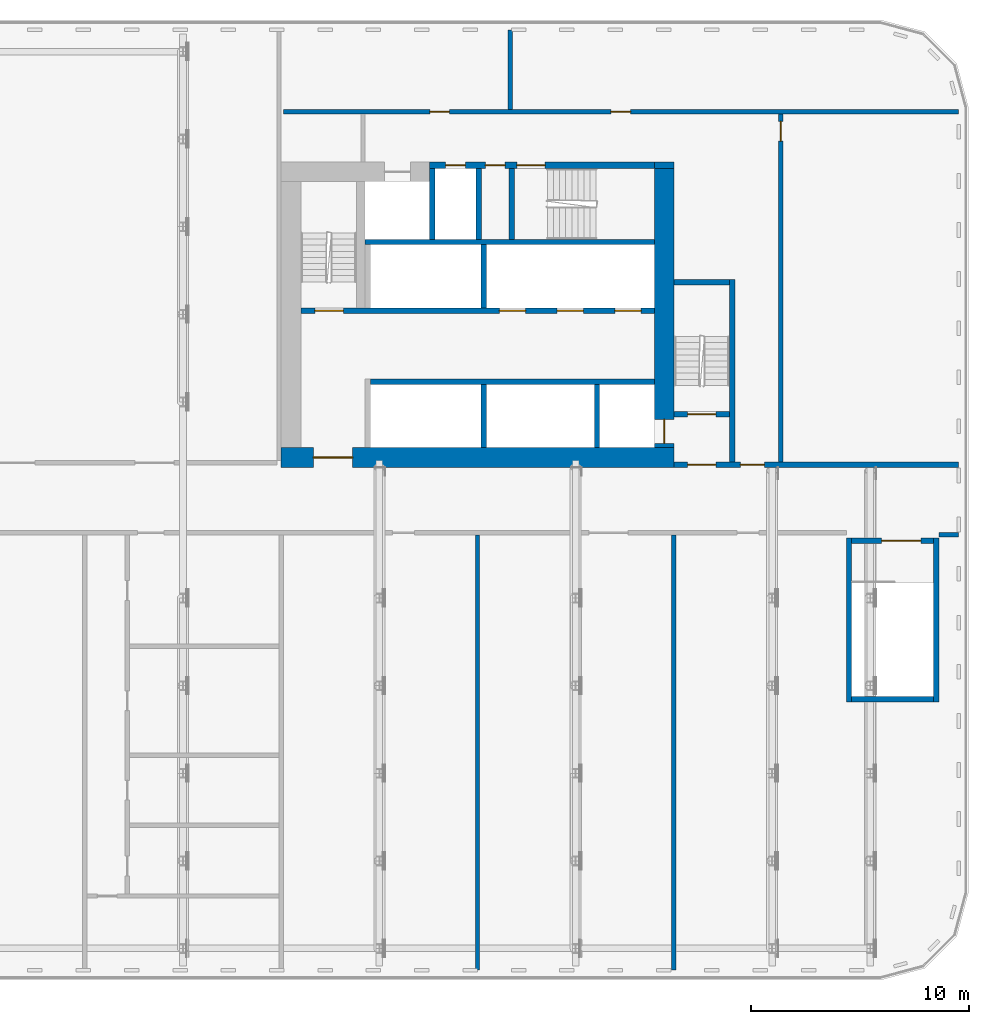
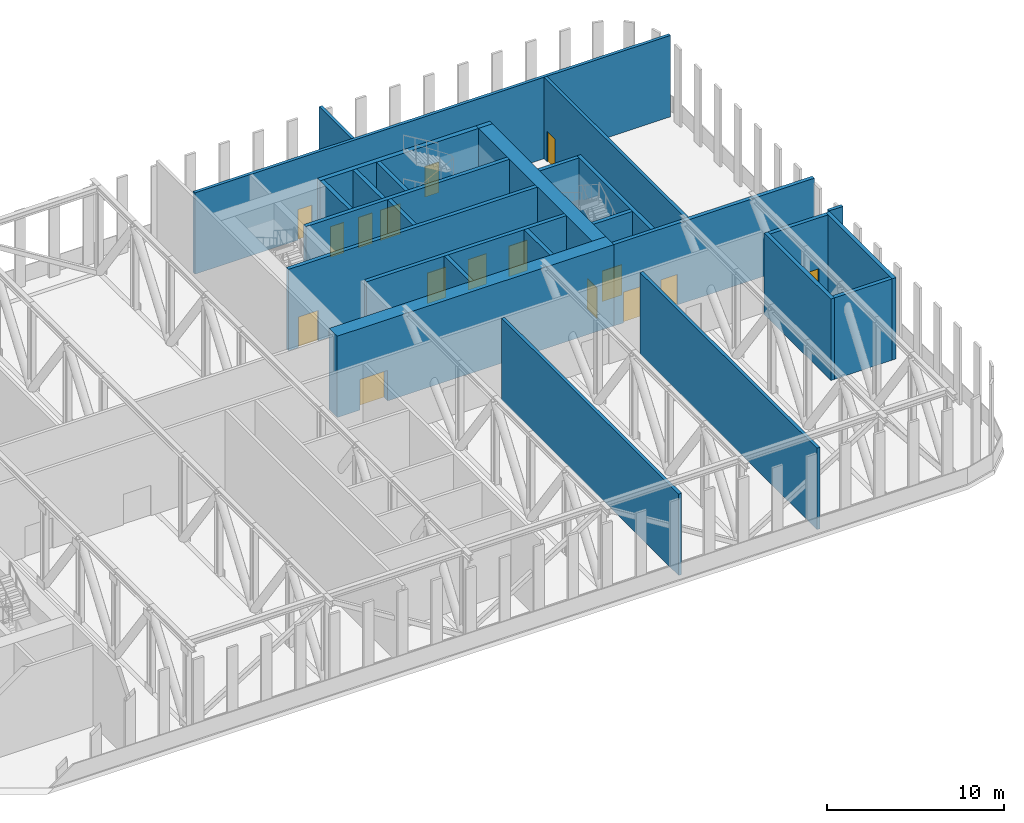
# One storey, part 9 of 26: 27 walls, 16 doors, 16 openings.
"""IFC4 building model written with IfcOpenShell, lengths in metres."""

import ifcopenshell
import ifcopenshell.guid

model = None  # the IFC model being written
_history = None  # IfcOwnerHistory: only IFC2X3 demands one
_inside = {}  # id of a spatial element -> (the spatial element, [elements in it])
_under = {}  # id of a project, library or spatial element -> (it, [spatial elements below it])
_declared = {}  # id of a project -> (the project, [libraries it declares])
_typed = {}  # id of a type object -> (the type object, [elements of that type])
_made_of = {}  # id of a material, layer set ... -> (it, [elements and type objects made of it])


def new_model(schema):
    """Start an empty IFC model of exactly this schema.

    Asked for "IFC4X3", IfcOpenShell would pick the latest addendum, in which some entities
    have other attributes; the version numbers below select the first issue.
    IFC2X3 requires an IfcOwnerHistory on every rooted entity: one is made here for all.
    """
    global model, _history
    if schema == "IFC4X3":
        model = ifcopenshell.file(schema_version=(4, 3, 0, 0))
    else:
        model = ifcopenshell.file(schema=schema)
    _inside.clear()
    _under.clear()
    _declared.clear()
    _typed.clear()
    _made_of.clear()
    _history = None
    if model.schema == "IFC2X3":
        org = make("IfcOrganization", Name="unknown")
        user = make(
            "IfcPersonAndOrganization",
            ThePerson=make("IfcPerson", FamilyName="unknown"),
            TheOrganization=org,
        )
        app = make(
            "IfcApplication",
            ApplicationDeveloper=org,
            Version="unknown",
            ApplicationFullName="unknown",
            ApplicationIdentifier="unknown",
        )
        _history = make(
            "IfcOwnerHistory",
            OwningUser=user,
            OwningApplication=app,
            ChangeAction="ADDED",
            CreationDate=0,
        )
    return model


def make(cls, **values):
    """One entity of the class cls with the attributes given. An attribute that is None is left unset."""
    return model.create_entity(
        cls, **{name: value for name, value in values.items() if value is not None}
    )


def rooted(cls, **values):
    """An entity with a GlobalId (a new one), such as an element, a storey or a relation."""
    return make(cls, GlobalId=ifcopenshell.guid.new(), OwnerHistory=_history, **values)


def si_unit(unit_type, name, prefix=None):
    """IfcSIUnit, for example si_unit("LENGTHUNIT", "METRE", prefix="MILLI")."""
    return make("IfcSIUnit", UnitType=unit_type, Prefix=prefix, Name=name)


def assignment(units):
    """IfcUnitAssignment: the units of a project."""
    return None if units is None else make("IfcUnitAssignment", Units=units)


def point(xyz):
    """IfcCartesianPoint."""
    return None if xyz is None else make("IfcCartesianPoint", Coordinates=xyz)


def direction(xyz):
    """IfcDirection."""
    return None if xyz is None else make("IfcDirection", DirectionRatios=xyz)


def frame(location, z_axis=None, x_axis=None):
    """IfcAxis2Placement3D, a coordinate frame: its origin and axes. An axis left out is left unset."""
    return make(
        "IfcAxis2Placement3D",
        Location=point(location),
        Axis=direction(z_axis),
        RefDirection=direction(x_axis),
    )


def frame_2d(location, x_axis=None):
    """IfcAxis2Placement2D, a coordinate frame in the plane: its origin and x axis."""
    return make(
        "IfcAxis2Placement2D", Location=point(location), RefDirection=direction(x_axis)
    )


def origin():
    """The frame at (0, 0, 0) with its axes left unset."""
    return frame((0.0, 0.0, 0.0))


def place(relative_to, where):
    """IfcLocalPlacement: puts the frame where relative to a parent placement (None: the world)."""
    return make(
        "IfcLocalPlacement", PlacementRelTo=relative_to, RelativePlacement=where
    )


def context(
    kind, dimensions, precision=None, world=None, true_north=None, identifier=None
):
    """IfcGeometricRepresentationContext, for example the 3D "Model" context."""
    return make(
        "IfcGeometricRepresentationContext",
        ContextIdentifier=identifier,
        ContextType=kind,
        CoordinateSpaceDimension=dimensions,
        Precision=precision,
        WorldCoordinateSystem=world,
        TrueNorth=true_north,
    )


def subcontext(parent, identifier, kind, view, scale=None):
    """IfcGeometricRepresentationSubContext, for example "Body" below "Model"."""
    return make(
        "IfcGeometricRepresentationSubContext",
        ContextIdentifier=identifier,
        ContextType=kind,
        ParentContext=parent,
        TargetScale=scale,
        TargetView=view,
    )


def project(units=None, contexts=None):
    """IfcProject with its units and contexts."""
    return rooted(
        "IfcProject",
        Name="project",
        RepresentationContexts=contexts,
        UnitsInContext=assignment(units),
    )


def spatial(cls, under=None, at=None, **own):
    """A site, building, storey or space (cls), placed at a placement, below another one or the project."""
    s = rooted(cls, ObjectPlacement=at, **own)
    if under is not None:
        _under.setdefault(under.id(), (under, []))[1].append(s)
    return s


def profile(cls, at=None, kind="AREA", **sizes):
    """A parametric profile (cls). Its sizes go by their IFC names, for example OverallWidth=200.0."""
    return make(cls, ProfileType=kind, Position=at, **sizes)


def rectangle(**sizes):
    """IfcRectangleProfileDef."""
    return profile("IfcRectangleProfileDef", **sizes)


def extrude(swept, where, along, depth):
    """IfcExtrudedAreaSolid: the profile swept, set in the frame where, extruded along a direction by depth."""
    return make(
        "IfcExtrudedAreaSolid",
        SweptArea=swept,
        Position=where,
        ExtrudedDirection=direction(along),
        Depth=depth,
    )


def shape(context_of_items, identifier, shape_type, items):
    """IfcShapeRepresentation: the items that make up one representation, for example the "Body"."""
    return make(
        "IfcShapeRepresentation",
        ContextOfItems=context_of_items,
        RepresentationIdentifier=identifier,
        RepresentationType=shape_type,
        Items=items,
    )


def material(Name=None, Category=None):
    """IfcMaterial."""
    return make("IfcMaterial", Name=Name, Category=Category)


def layer(
    of_material, thickness, ventilated=None, Name=None, Category=None, Priority=None
):
    """IfcMaterialLayer: one layer of a wall or slab, of a material (None: an air gap)."""
    return make(
        "IfcMaterialLayer",
        Material=of_material,
        LayerThickness=thickness,
        IsVentilated=ventilated,
        Name=Name,
        Category=Category,
        Priority=Priority,
    )


def layer_set(layers, Name=None):
    """IfcMaterialLayerSet."""
    return make("IfcMaterialLayerSet", MaterialLayers=layers, LayerSetName=Name)


def made_of(thing, what):
    """Note that an element or type object is made of a material, layer set ...; save() writes the relation."""
    if what is not None:
        _made_of.setdefault(what.id(), (what, []))[1].append(thing)
    return thing


def type_object(cls, material=None, **own):
    """A type object (cls), such as IfcWallType, which elements share."""
    return made_of(rooted(cls, **own), material)


def element(
    cls,
    number,
    at=None,
    inside=None,
    cuts=None,
    type_object=None,
    material=None,
    context=None,
    identifier="Body",
    shape_type=None,
    held_by="IfcProductDefinitionShape",
    body=None,
    shapes=None,
    **own,
):
    """One element of the class cls, such as IfcWall. Its Tag is "e" and its number.

    at: its placement. inside: the storey or other place that contains it. cuts: it is an
    opening in that element (IfcRelVoidsElement). A single representation is given by context,
    identifier, shape_type and body (its items); several are given by shapes. held_by: the class
    of the entity that holds the representations. save() writes the other relations.
    """
    e = rooted(cls, Tag="e%d" % number, ObjectPlacement=at, **own)
    if body is not None:
        shapes = [shape(context, identifier, shape_type, body)]
    if shapes is not None:
        e.Representation = make(held_by, Representations=shapes)
    if inside is not None:
        _inside.setdefault(inside.id(), (inside, []))[1].append(e)
    if cuts is not None:
        rooted(
            "IfcRelVoidsElement", RelatingBuildingElement=cuts, RelatedOpeningElement=e
        )
    if type_object is not None:
        _typed.setdefault(type_object.id(), (type_object, []))[1].append(e)
    return made_of(e, material)


def fill(opening, filler):
    """IfcRelFillsElement: the door or window that sits in an opening."""
    return rooted(
        "IfcRelFillsElement",
        RelatingOpeningElement=opening,
        RelatedBuildingElement=filler,
    )


def aggregate(whole, parts):
    """IfcRelAggregates: a whole, such as a stair, and the parts it consists of."""
    return rooted("IfcRelAggregates", RelatingObject=whole, RelatedObjects=parts)


def save(model, path):
    """Write the relations noted so far, then the file.

    IfcRelAggregates (storeys below a building ...), IfcRelContainedInSpatialStructure (elements
    in a storey), IfcRelDefinesByType, IfcRelAssociatesMaterial and IfcRelDeclares: one each for
    every whole, place, type object, material and project.
    """
    for whole, parts in _under.values():
        aggregate(whole, parts)
    for where, things in _inside.values():
        rooted(
            "IfcRelContainedInSpatialStructure",
            RelatedElements=things,
            RelatingStructure=where,
        )
    for kind, things in _typed.values():
        rooted("IfcRelDefinesByType", RelatedObjects=things, RelatingType=kind)
    for what, things in _made_of.values():
        rooted("IfcRelAssociatesMaterial", RelatedObjects=things, RelatingMaterial=what)
    for by, libraries in _declared.values():
        rooted("IfcRelDeclares", RelatingContext=by, RelatedDefinitions=libraries)
    model.write(path)


model = new_model("IFC4")

# Units and contexts
model_context = context("Model", 3, precision=1e-05, world=origin(), true_north=direction((0.0, 1.0)))
body_context = subcontext(model_context, "Body", "Model", "MODEL_VIEW")
ifc_project = project(units=[si_unit("LENGTHUNIT", "METRE"), si_unit("AREAUNIT", "SQUARE_METRE"), si_unit("VOLUMEUNIT", "CUBIC_METRE"), si_unit("PLANEANGLEUNIT", "RADIAN"), si_unit("MASSUNIT", "GRAM", prefix="KILO")], contexts=[model_context])

# Site, building, storey
site_placement = place(None, origin())
site = spatial("IfcSite", under=ifc_project, at=site_placement, CompositionType="ELEMENT")
building_placement = place(site_placement, origin())
building = spatial("IfcBuilding", under=site, at=building_placement, Name="Kajstack Hotel Tower", CompositionType="ELEMENT")
storey_placement = place(building_placement, frame((0.0, 0.0, 47.0)))
storey = spatial("IfcBuildingStorey", under=building, at=storey_placement, Name="L07", CompositionType="ELEMENT", Elevation=47.0)

# Wall, opening, door
ifc_material_1 = material(Name="Concrete C60/75", Category="concrete")
ifc_layer_1 = layer(ifc_material_1, 0.89990234375)
ifc_layer_set_1 = layer_set([ifc_layer_1], Name="Core wall 900")
wall_type_1 = type_object("IfcWallType", Name="Core wall 900", PredefinedType="SHEAR", material=ifc_layer_set_1)
wall_1_placement = place(storey_placement, frame((13.5, 1.949951171875, 0.0), z_axis=(0.0, 0.0, 1.0), x_axis=(1.0, 0.0, 0.0)))
wall_1 = element("IfcWall", 1, at=wall_1_placement, inside=storey, type_object=wall_type_1, Name="Core wall E RN", PredefinedType="SHEAR", context=body_context, shape_type="SweptSolid", body=[
    extrude(rectangle(XDim=18.0, YDim=0.89990234375, at=frame_2d((9.0, 0.0))), origin(), (0.0, 0.0, 1.0), 5.60009765625),
])
opening_1_placement = place(wall_1_placement, frame((1.47509765625, 0.0, 0.0)))
opening_1 = element("IfcOpeningElement", 2, at=opening_1_placement, cuts=wall_1, Name="Opening 07E06", PredefinedType="OPENING", context=body_context, shape_type="SweptSolid", body=[
    extrude(rectangle(XDim=1.800048828125, YDim=2.10009765625, at=frame_2d((0.89990234375, 1.050048828125))), frame((0.0, 0.4599609375, 0.0), z_axis=(0.0, -1.0, 0.0), x_axis=(1.0, 0.0, 0.0)), (0.0, 0.0, 1.0), 0.919921875),
])
ifc_material_2 = material(Name="Glazed steel frame, fire-rated glass", Category="steel")
door_type_1 = type_object("IfcDoorType", Name="Lobby double door 1800", OperationType="DOUBLE_DOOR_DOUBLE_SWING", PredefinedType="DOOR", material=ifc_material_2)
door_1_placement = place(opening_1_placement, origin())
door_1 = element("IfcDoor", 3, at=door_1_placement, inside=storey, type_object=door_type_1, Name="Door 07E06", OperationType="DOUBLE_DOOR_DOUBLE_SWING", OverallHeight=2.10009765625, OverallWidth=1.800048828125, PredefinedType="DOOR", context=body_context, shape_type="SweptSolid", body=[
    extrude(rectangle(XDim=1.800048828125, YDim=2.10009765625, at=frame_2d((0.89990234375, 1.050048828125))), frame((0.0, 0.02490234375, 0.0), z_axis=(0.0, -1.0, 0.0), x_axis=(1.0, 0.0, 0.0)), (0.0, 0.0, 1.0), 0.050048828125),
])
fill(opening_1, door_1)

# Wall
wall_2_placement = place(storey_placement, frame((30.60009765625, 15.35009765625, 0.0), z_axis=(0.0, 0.0, 1.0), x_axis=(1.0, 0.0, 0.0)))
element("IfcWall", 4, at=wall_2_placement, inside=storey, type_object=wall_type_1, Name="Core wall E RSW", PredefinedType="SHEAR", context=body_context, shape_type="SweptSolid", body=[
    extrude(rectangle(XDim=0.89990234375, YDim=0.300048828125, at=frame_2d((0.449951171875, 0.0))), origin(), (0.0, 0.0, 1.0), 5.60009765625),
])

# Wall, opening, door
wall_3_placement = place(storey_placement, frame((31.050048828125, 2.39990234375, 0.0), z_axis=(0.0, 0.0, 1.0), x_axis=(0.0, 1.0, 0.0)))
wall_3 = element("IfcWall", 5, at=wall_3_placement, inside=storey, type_object=wall_type_1, Name="Core wall E RW", PredefinedType="SHEAR", context=body_context, shape_type="SweptSolid", body=[
    extrude(rectangle(XDim=12.800048828125, YDim=0.89990234375, at=frame_2d((6.39990234375, 0.0))), origin(), (0.0, 0.0, 1.0), 5.60009765625),
])
opening_2_placement = place(wall_3_placement, frame((0.199951171875, 0.0, 0.0)))
opening_2 = element("IfcOpeningElement", 6, at=opening_2_placement, cuts=wall_3, Name="Opening LD-FF2", PredefinedType="OPENING", context=body_context, shape_type="SweptSolid", body=[
    extrude(rectangle(XDim=1.10009765625, YDim=2.10009765625, at=frame_2d((0.550048828125, 1.050048828125))), frame((0.0, 0.4599609375, 0.0), z_axis=(0.0, -1.0, 0.0), x_axis=(1.0, 0.0, 0.0)), (0.0, 0.0, 1.0), 0.919921875),
])
ifc_material_3 = material(Name="Stainless steel", Category="steel")
door_type_2 = type_object("IfcDoorType", Name="Fire-fighting lift landing door 1100", OperationType="SLIDING_TO_LEFT", PredefinedType="DOOR", material=ifc_material_3)
door_2_placement = place(opening_2_placement, origin())
door_2 = element("IfcDoor", 7, at=door_2_placement, inside=storey, type_object=door_type_2, Name="Landing door FF2", OperationType="SLIDING_TO_LEFT", OverallHeight=2.10009765625, OverallWidth=1.10009765625, PredefinedType="DOOR", context=body_context, shape_type="SweptSolid", body=[
    extrude(rectangle(XDim=1.10009765625, YDim=2.10009765625, at=frame_2d((0.550048828125, 1.050048828125))), frame((0.0, 0.02490234375, 0.0), z_axis=(0.0, -1.0, 0.0), x_axis=(1.0, 0.0, 0.0)), (0.0, 0.0, 1.0), 0.050048828125),
])
fill(opening_2, door_2)

# Walls
ifc_material_4 = material(Name="Concrete C50/60", Category="concrete")
ifc_layer_2 = layer(ifc_material_4, 0.300048828125)
ifc_layer_set_2 = layer_set([ifc_layer_2], Name="Hoistway divider wall 300")
wall_type_2 = type_object("IfcWallType", Name="Hoistway divider wall 300", PredefinedType="SHEAR", material=ifc_layer_set_2)
wall_4_placement = place(storey_placement, frame((22.77490234375, 2.39990234375, 0.0), z_axis=(0.0, 0.0, 1.0), x_axis=(0.0, 1.0, 0.0)))
element("IfcWall", 8, at=wall_4_placement, inside=storey, type_object=wall_type_2, Name="Core wall E AP2", PredefinedType="SHEAR", context=body_context, shape_type="SweptSolid", body=[
    extrude(rectangle(XDim=2.900146484375, YDim=0.25, at=frame_2d((1.4501953125, 0.0))), origin(), (0.0, 0.0, 1.0), 5.60009765625),
])
wall_5_placement = place(storey_placement, frame((22.77490234375, 8.800048828125, 0.0), z_axis=(0.0, 0.0, 1.0), x_axis=(0.0, 1.0, 0.0)))
element("IfcWall", 9, at=wall_5_placement, inside=storey, type_object=wall_type_2, Name="Core wall E BP2", PredefinedType="SHEAR", context=body_context, shape_type="SweptSolid", body=[
    extrude(rectangle(XDim=2.89990234375, YDim=0.25, at=frame_2d((1.449951171875, 0.0))), origin(), (0.0, 0.0, 1.0), 5.60009765625),
])
ifc_material_5 = material(Name="Gypsum board on steel studs, mineral wool", Category="steel")
ifc_layer_3 = layer(ifc_material_5, 0.199951171875)
ifc_layer_set_3 = layer_set([ifc_layer_3], Name="Public partition 200")
wall_type_3 = type_object("IfcWallType", Name="Public partition 200", PredefinedType="PARTITIONING", material=ifc_layer_set_3)
for number, where, z_axis, x_axis, name in (
    (10, (22.5, -21.550048828125, 0.0), (0.0, 0.0, 1.0), (0.0, 1.0, 0.0), "Partition SPX2"),
    (11, (31.5, -21.550048828125, 0.0), (0.0, 0.0, 1.0), (0.0, 1.0, 0.0), "Partition SPX3"),
):
    element("IfcWall", number, at=place(storey_placement, frame(where, z_axis=z_axis, x_axis=x_axis)), inside=storey, type_object=wall_type_3, Name=name, PredefinedType="PARTITIONING", context=body_context, shape_type="SweptSolid", body=[
        extrude(rectangle(XDim=19.949951171875, YDim=0.199951171875, at=frame_2d((9.97509765625, 0.0))), origin(), (0.0, 0.0, 1.0), 5.60009765625),
    ])
wall_6_placement = place(storey_placement, frame((43.64990234375, -1.60009765625, 0.0), z_axis=(0.0, 0.0, 1.0), x_axis=(1.0, 0.0, 0.0)))
element("IfcWall", 12, at=wall_6_placement, inside=storey, type_object=wall_type_3, Name="Partition SFWW", PredefinedType="PARTITIONING", context=body_context, shape_type="SweptSolid", body=[
    extrude(rectangle(XDim=0.900146484375, YDim=0.199951171875, at=frame_2d((0.4501953125, 0.0))), origin(), (0.0, 0.0, 1.0), 5.60009765625),
])
ifc_material_6 = material(Name="Concrete block masonry", Category="masonry")
ifc_layer_4 = layer(ifc_material_6, 0.25)
ifc_layer_set_4 = layer_set([ifc_layer_4], Name="Riser partition 250")
wall_type_4 = type_object("IfcWallType", Name="Riser partition 250", PredefinedType="PARTITIONING", material=ifc_layer_set_4)
wall_7_placement = place(storey_placement, frame((22.550048828125, 11.949951171875, 0.0), z_axis=(0.0, 0.0, 1.0), x_axis=(0.0, 1.0, 0.0)))
element("IfcWall", 13, at=wall_7_placement, inside=storey, type_object=wall_type_4, Name="Partition E SZ0", PredefinedType="PARTITIONING", context=body_context, shape_type="SweptSolid", body=[
    extrude(rectangle(XDim=3.25, YDim=0.25, at=frame_2d((1.625, 0.0))), origin(), (0.0, 0.0, 1.0), 5.60009765625),
])

# Wall, openings, doors
ifc_layer_5 = layer(ifc_material_5, 0.199951171875)
ifc_layer_set_5 = layer_set([ifc_layer_5], Name="Service partition 200")
wall_type_5 = type_object("IfcWallType", Name="Service partition 200", PredefinedType="PARTITIONING", material=ifc_layer_set_5)
wall_8_placement = place(storey_placement, frame((31.5, 1.625, 0.0), z_axis=(0.0, 0.0, 1.0), x_axis=(1.0, 0.0, 0.0)))
wall_8 = element("IfcWall", 14, at=wall_8_placement, inside=storey, type_object=wall_type_5, Name="Partition E SN", PredefinedType="PARTITIONING", context=body_context, shape_type="SweptSolid", body=[
    extrude(rectangle(XDim=13.050048828125, YDim=0.25, at=frame_2d((6.52490234375, 0.0))), origin(), (0.0, 0.0, 1.0), 5.60009765625),
])
opening_3_placement = place(wall_8_placement, frame((0.625, 0.0, 0.0)))
opening_3 = element("IfcOpeningElement", 15, at=opening_3_placement, cuts=wall_8, Name="Opening 07E07", PredefinedType="OPENING", context=body_context, shape_type="SweptSolid", body=[
    extrude(rectangle(XDim=1.300048828125, YDim=2.10009765625, at=frame_2d((0.64990234375, 1.050048828125))), frame((0.0, 0.135009765625, 0.0), z_axis=(0.0, -1.0, 0.0), x_axis=(1.0, 0.0, 0.0)), (0.0, 0.0, 1.0), 0.27001953125),
])
opening_4_placement = place(wall_8_placement, frame((3.050048828125, 0.0, 0.0)))
opening_4 = element("IfcOpeningElement", 16, at=opening_4_placement, cuts=wall_8, Name="Opening 07E09", PredefinedType="OPENING", context=body_context, shape_type="SweptSolid", body=[
    extrude(rectangle(XDim=1.10009765625, YDim=2.10009765625, at=frame_2d((0.550048828125, 1.050048828125))), frame((0.0, 0.135009765625, 0.0), z_axis=(0.0, -1.0, 0.0), x_axis=(1.0, 0.0, 0.0)), (0.0, 0.0, 1.0), 0.27001953125),
])
ifc_material_7 = material(Name="Steel leaf, fire-rated", Category="steel")
door_type_3 = type_object("IfcDoorType", Name="Fire lobby door 1300", OperationType="SINGLE_SWING_LEFT", PredefinedType="DOOR", material=ifc_material_7)
door_3_placement = place(opening_3_placement, origin())
door_3 = element("IfcDoor", 17, at=door_3_placement, inside=storey, type_object=door_type_3, Name="Door 07E07", OperationType="SINGLE_SWING_LEFT", OverallHeight=2.10009765625, OverallWidth=1.300048828125, PredefinedType="DOOR", context=body_context, shape_type="SweptSolid", body=[
    extrude(rectangle(XDim=1.300048828125, YDim=2.10009765625, at=frame_2d((0.64990234375, 1.050048828125))), frame((0.0, 0.02490234375, 0.0), z_axis=(0.0, -1.0, 0.0), x_axis=(1.0, 0.0, 0.0)), (0.0, 0.0, 1.0), 0.050048828125),
])
fill(opening_3, door_3)
ifc_material_8 = material(Name="Timber leaf, fire-rated", Category="wood")
door_type_4 = type_object("IfcDoorType", Name="Service corridor door 1100", OperationType="SINGLE_SWING_LEFT", PredefinedType="DOOR", material=ifc_material_8)
door_4_placement = place(opening_4_placement, origin())
door_4 = element("IfcDoor", 18, at=door_4_placement, inside=storey, type_object=door_type_4, Name="Door 07E09", OperationType="SINGLE_SWING_LEFT", OverallHeight=2.10009765625, OverallWidth=1.10009765625, PredefinedType="DOOR", context=body_context, shape_type="SweptSolid", body=[
    extrude(rectangle(XDim=1.10009765625, YDim=2.10009765625, at=frame_2d((0.550048828125, 1.050048828125))), frame((0.0, 0.02490234375, 0.0), z_axis=(0.0, -1.0, 0.0), x_axis=(1.0, 0.0, 0.0)), (0.0, 0.0, 1.0), 0.050048828125),
])
fill(opening_4, door_4)

# Wall, opening, door
wall_9_placement = place(storey_placement, frame((36.39990234375, 1.75, 0.0), z_axis=(0.0, 0.0, 1.0), x_axis=(0.0, 1.0, 0.0)))
wall_9 = element("IfcWall", 19, at=wall_9_placement, inside=storey, type_object=wall_type_5, Name="Partition E WRE", PredefinedType="PARTITIONING", context=body_context, shape_type="SweptSolid", body=[
    extrude(rectangle(XDim=15.949951171875, YDim=0.199951171875, at=frame_2d((7.97509765625, 0.0))), origin(), (0.0, 0.0, 1.0), 5.60009765625),
])
opening_5_placement = place(wall_9_placement, frame((14.699951171875, 0.0, 0.0)))
opening_5 = element("IfcOpeningElement", 20, at=opening_5_placement, cuts=wall_9, Name="Opening 07E16", PredefinedType="OPENING", context=body_context, shape_type="SweptSolid", body=[
    extrude(rectangle(XDim=0.89990234375, YDim=2.10009765625, at=frame_2d((0.449951171875, 1.050048828125))), frame((0.0, 0.10986328125, 0.0), z_axis=(0.0, -1.0, 0.0), x_axis=(1.0, 0.0, 0.0)), (0.0, 0.0, 1.0), 0.219970703125),
])
door_type_5 = type_object("IfcDoorType", Name="Service door 900", OperationType="SINGLE_SWING_LEFT", PredefinedType="DOOR", material=ifc_material_8)
door_5_placement = place(opening_5_placement, origin())
door_5 = element("IfcDoor", 21, at=door_5_placement, inside=storey, type_object=door_type_5, Name="Door 07E16", OperationType="SINGLE_SWING_RIGHT", OverallHeight=2.10009765625, OverallWidth=0.89990234375, PredefinedType="DOOR", context=body_context, shape_type="SweptSolid", body=[
    extrude(rectangle(XDim=0.89990234375, YDim=2.10009765625, at=frame_2d((0.449951171875, 1.050048828125))), frame((0.0, 0.02490234375, 0.0), z_axis=(0.0, -1.0, 0.0), x_axis=(1.0, 0.0, 0.0)), (0.0, 0.0, 1.0), 0.050048828125),
])
fill(opening_5, door_5)

# Wall, openings, doors
wall_10_placement = place(storey_placement, frame((13.60009765625, 17.800048828125, 0.0), z_axis=(0.0, 0.0, 1.0), x_axis=(1.0, 0.0, 0.0)))
wall_10 = element("IfcWall", 22, at=wall_10_placement, inside=storey, type_object=wall_type_5, Name="Partition E SLN", PredefinedType="PARTITIONING", context=body_context, shape_type="SweptSolid", body=[
    extrude(rectangle(XDim=30.949951171875, YDim=0.199951171875, at=frame_2d((15.47509765625, 0.0))), origin(), (0.0, 0.0, 1.0), 5.60009765625),
])
opening_6_placement = place(wall_10_placement, frame((15.012451171875, 0.0, 0.0)))
opening_6 = element("IfcOpeningElement", 23, at=opening_6_placement, cuts=wall_10, Name="Opening 07E14", PredefinedType="OPENING", context=body_context, shape_type="SweptSolid", body=[
    extrude(rectangle(XDim=0.89990234375, YDim=2.10009765625, at=frame_2d((0.449951171875, 1.050048828125))), frame((0.0, 0.10986328125, 0.0), z_axis=(0.0, -1.0, 0.0), x_axis=(1.0, 0.0, 0.0)), (0.0, 0.0, 1.0), 0.219970703125),
])
opening_7_placement = place(wall_10_placement, frame((6.71240234375, 0.0, 0.0)))
opening_7 = element("IfcOpeningElement", 24, at=opening_7_placement, cuts=wall_10, Name="Opening 07E15", PredefinedType="OPENING", context=body_context, shape_type="SweptSolid", body=[
    extrude(rectangle(XDim=0.89990234375, YDim=2.10009765625, at=frame_2d((0.449951171875, 1.050048828125))), frame((0.0, 0.10986328125, 0.0), z_axis=(0.0, -1.0, 0.0), x_axis=(1.0, 0.0, 0.0)), (0.0, 0.0, 1.0), 0.219970703125),
])
door_6_placement = place(opening_6_placement, origin())
door_6 = element("IfcDoor", 25, at=door_6_placement, inside=storey, type_object=door_type_5, Name="Door 07E14", OperationType="SINGLE_SWING_LEFT", OverallHeight=2.10009765625, OverallWidth=0.89990234375, PredefinedType="DOOR", context=body_context, shape_type="SweptSolid", body=[
    extrude(rectangle(XDim=0.89990234375, YDim=2.10009765625, at=frame_2d((0.449951171875, 1.050048828125))), frame((0.0, 0.02490234375, 0.0), z_axis=(0.0, -1.0, 0.0), x_axis=(1.0, 0.0, 0.0)), (0.0, 0.0, 1.0), 0.050048828125),
])
fill(opening_6, door_6)
door_7_placement = place(opening_7_placement, origin())
door_7 = element("IfcDoor", 26, at=door_7_placement, inside=storey, type_object=door_type_5, Name="Door 07E15", OperationType="SINGLE_SWING_LEFT", OverallHeight=2.10009765625, OverallWidth=0.89990234375, PredefinedType="DOOR", context=body_context, shape_type="SweptSolid", body=[
    extrude(rectangle(XDim=0.89990234375, YDim=2.10009765625, at=frame_2d((0.449951171875, 1.050048828125))), frame((0.0, 0.02490234375, 0.0), z_axis=(0.0, -1.0, 0.0), x_axis=(1.0, 0.0, 0.0)), (0.0, 0.0, 1.0), 0.050048828125),
])
fill(opening_7, door_7)

# Wall
wall_11_placement = place(storey_placement, frame((24.0, 17.89990234375, 0.0), z_axis=(0.0, 0.0, 1.0), x_axis=(0.0, 1.0, 0.0)))
element("IfcWall", 27, at=wall_11_placement, inside=storey, type_object=wall_type_5, Name="Partition E SLP0", PredefinedType="PARTITIONING", context=body_context, shape_type="SweptSolid", body=[
    extrude(rectangle(XDim=3.650146484375, YDim=0.199951171875, at=frame_2d((1.8251953125, 0.0))), origin(), (0.0, 0.0, 1.0), 5.60009765625),
])

# Wall, openings, doors
ifc_layer_6 = layer(ifc_material_4, 0.25)
ifc_layer_set_6 = layer_set([ifc_layer_6], Name="Shaft wall 250")
wall_type_6 = type_object("IfcWallType", Name="Shaft wall 250", PredefinedType="SHEAR", material=ifc_layer_set_6)
wall_12_placement = place(storey_placement, frame((20.300048828125, 15.35009765625, 0.0), z_axis=(0.0, 0.0, 1.0), x_axis=(1.0, 0.0, 0.0)))
wall_12 = element("IfcWall", 28, at=wall_12_placement, inside=storey, type_object=wall_type_6, Name="Core wall E RSS", PredefinedType="SHEAR", context=body_context, shape_type="SweptSolid", body=[
    extrude(rectangle(XDim=10.300048828125, YDim=0.300048828125, at=frame_2d((5.14990234375, 0.0))), origin(), (0.0, 0.0, 1.0), 5.60009765625),
])
opening_8_placement = place(wall_12_placement, frame((4.0, 0.0, 0.0)))
opening_8 = element("IfcOpeningElement", 29, at=opening_8_placement, cuts=wall_12, Name="Opening 07E11", PredefinedType="OPENING", context=body_context, shape_type="SweptSolid", body=[
    extrude(rectangle(XDim=1.300048828125, YDim=2.10009765625, at=frame_2d((0.64990234375, 1.050048828125))), frame((0.0, 0.159912109375, 0.0), z_axis=(0.0, -1.0, 0.0), x_axis=(1.0, 0.0, 0.0)), (0.0, 0.0, 1.0), 0.320068359375),
])
opening_9_placement = place(wall_12_placement, frame((2.5625, 0.0, 0.0)))
opening_9 = element("IfcOpeningElement", 30, at=opening_9_placement, cuts=wall_12, Name="Opening 07E12", PredefinedType="OPENING", context=body_context, shape_type="SweptSolid", body=[
    extrude(rectangle(XDim=0.89990234375, YDim=2.10009765625, at=frame_2d((0.449951171875, 1.050048828125))), frame((0.0, 0.159912109375, 0.0), z_axis=(0.0, -1.0, 0.0), x_axis=(1.0, 0.0, 0.0)), (0.0, 0.0, 1.0), 0.320068359375),
])
opening_10_placement = place(wall_12_placement, frame((0.737548828125, 0.0, 0.0)))
opening_10 = element("IfcOpeningElement", 31, at=opening_10_placement, cuts=wall_12, Name="Opening 07E13", PredefinedType="OPENING", context=body_context, shape_type="SweptSolid", body=[
    extrude(rectangle(XDim=0.89990234375, YDim=2.10009765625, at=frame_2d((0.449951171875, 1.050048828125))), frame((0.0, 0.159912109375, 0.0), z_axis=(0.0, -1.0, 0.0), x_axis=(1.0, 0.0, 0.0)), (0.0, 0.0, 1.0), 0.320068359375),
])
door_type_6 = type_object("IfcDoorType", Name="Riser door 900", OperationType="SINGLE_SWING_LEFT", PredefinedType="DOOR", material=ifc_material_7)
door_8_placement = place(opening_10_placement, origin())
door_8 = element("IfcDoor", 32, at=door_8_placement, inside=storey, type_object=door_type_6, Name="Door 07E13", OperationType="SINGLE_SWING_RIGHT", OverallHeight=2.10009765625, OverallWidth=0.89990234375, PredefinedType="DOOR", context=body_context, shape_type="SweptSolid", body=[
    extrude(rectangle(XDim=0.89990234375, YDim=2.10009765625, at=frame_2d((0.449951171875, 1.050048828125))), frame((0.0, 0.02490234375, 0.0), z_axis=(0.0, -1.0, 0.0), x_axis=(1.0, 0.0, 0.0)), (0.0, 0.0, 1.0), 0.050048828125),
])
fill(opening_10, door_8)
door_9_placement = place(opening_9_placement, origin())
door_9 = element("IfcDoor", 33, at=door_9_placement, inside=storey, type_object=door_type_5, Name="Door 07E12", OperationType="SINGLE_SWING_RIGHT", OverallHeight=2.10009765625, OverallWidth=0.89990234375, PredefinedType="DOOR", context=body_context, shape_type="SweptSolid", body=[
    extrude(rectangle(XDim=0.89990234375, YDim=2.10009765625, at=frame_2d((0.449951171875, 1.050048828125))), frame((0.0, 0.02490234375, 0.0), z_axis=(0.0, -1.0, 0.0), x_axis=(1.0, 0.0, 0.0)), (0.0, 0.0, 1.0), 0.050048828125),
])
fill(opening_9, door_9)
door_type_7 = type_object("IfcDoorType", Name="Stair door 1300", OperationType="SINGLE_SWING_LEFT", PredefinedType="DOOR", material=ifc_material_7)
door_10_placement = place(opening_8_placement, origin())
door_10 = element("IfcDoor", 34, at=door_10_placement, inside=storey, type_object=door_type_7, Name="Door 07E11", OperationType="SINGLE_SWING_LEFT", OverallHeight=2.10009765625, OverallWidth=1.300048828125, PredefinedType="DOOR", context=body_context, shape_type="SweptSolid", body=[
    extrude(rectangle(XDim=1.300048828125, YDim=2.10009765625, at=frame_2d((0.64990234375, 1.050048828125))), frame((0.0, 0.02490234375, 0.0), z_axis=(0.0, -1.0, 0.0), x_axis=(1.0, 0.0, 0.0)), (0.0, 0.0, 1.0), 0.050048828125),
])
fill(opening_8, door_10)

# Walls
wall_13_placement = place(storey_placement, frame((17.60009765625, 5.425048828125, 0.0), z_axis=(0.0, 0.0, 1.0), x_axis=(1.0, 0.0, 0.0)))
element("IfcWall", 35, at=wall_13_placement, inside=storey, type_object=wall_type_6, Name="Core wall E FA", PredefinedType="SHEAR", context=body_context, shape_type="SweptSolid", body=[
    extrude(rectangle(XDim=13.0, YDim=0.25, at=frame_2d((6.5, 0.0))), origin(), (0.0, 0.0, 1.0), 5.60009765625),
])
wall_14_placement = place(storey_placement, frame((27.97509765625, 2.39990234375, 0.0), z_axis=(0.0, 0.0, 1.0), x_axis=(0.0, 1.0, 0.0)))
element("IfcWall", 36, at=wall_14_placement, inside=storey, type_object=wall_type_6, Name="Core wall E AP0", PredefinedType="SHEAR", context=body_context, shape_type="SweptSolid", body=[
    extrude(rectangle(XDim=2.900146484375, YDim=0.25, at=frame_2d((1.4501953125, 0.0))), origin(), (0.0, 0.0, 1.0), 5.60009765625),
])

# Wall, openings, doors
wall_15_placement = place(storey_placement, frame((14.39990234375, 8.675048828125, 0.0), z_axis=(0.0, 0.0, 1.0), x_axis=(1.0, 0.0, 0.0)))
wall_15 = element("IfcWall", 37, at=wall_15_placement, inside=storey, type_object=wall_type_6, Name="Core wall E FB", PredefinedType="SHEAR", context=body_context, shape_type="SweptSolid", body=[
    extrude(rectangle(XDim=16.2001953125, YDim=0.25, at=frame_2d((8.10009765625, 0.0))), origin(), (0.0, 0.0, 1.0), 5.60009765625),
])
opening_11_placement = place(wall_15_placement, frame((14.39990234375, 0.0, 0.0)))
opening_11 = element("IfcOpeningElement", 38, at=opening_11_placement, cuts=wall_15, Name="Opening LD-LR4", PredefinedType="OPENING", context=body_context, shape_type="SweptSolid", body=[
    extrude(rectangle(XDim=1.199951171875, YDim=2.10009765625, at=frame_2d((0.60009765625, 1.050048828125))), frame((0.0, 0.135009765625, 0.0), z_axis=(0.0, -1.0, 0.0), x_axis=(1.0, 0.0, 0.0)), (0.0, 0.0, 1.0), 0.27001953125),
])
opening_12_placement = place(wall_15_placement, frame((11.75, 0.0, 0.0)))
opening_12 = element("IfcOpeningElement", 39, at=opening_12_placement, cuts=wall_15, Name="Opening LD-LR5", PredefinedType="OPENING", context=body_context, shape_type="SweptSolid", body=[
    extrude(rectangle(XDim=1.199951171875, YDim=2.10009765625, at=frame_2d((0.60009765625, 1.050048828125))), frame((0.0, 0.135009765625, 0.0), z_axis=(0.0, -1.0, 0.0), x_axis=(1.0, 0.0, 0.0)), (0.0, 0.0, 1.0), 0.27001953125),
])
opening_13_placement = place(wall_15_placement, frame((9.10009765625, 0.0, 0.0)))
opening_13 = element("IfcOpeningElement", 40, at=opening_13_placement, cuts=wall_15, Name="Opening LD-LR6", PredefinedType="OPENING", context=body_context, shape_type="SweptSolid", body=[
    extrude(rectangle(XDim=1.199951171875, YDim=2.10009765625, at=frame_2d((0.60009765625, 1.050048828125))), frame((0.0, 0.135009765625, 0.0), z_axis=(0.0, -1.0, 0.0), x_axis=(1.0, 0.0, 0.0)), (0.0, 0.0, 1.0), 0.27001953125),
])
opening_14_placement = place(wall_15_placement, frame((0.64990234375, 0.0, 0.0)))
opening_14 = element("IfcOpeningElement", 41, at=opening_14_placement, cuts=wall_15, Name="Opening 07E10", PredefinedType="OPENING", context=body_context, shape_type="SweptSolid", body=[
    extrude(rectangle(XDim=1.300048828125, YDim=2.10009765625, at=frame_2d((0.64990234375, 1.050048828125))), frame((0.0, 0.135009765625, 0.0), z_axis=(0.0, -1.0, 0.0), x_axis=(1.0, 0.0, 0.0)), (0.0, 0.0, 1.0), 0.27001953125),
])
door_type_8 = type_object("IfcDoorType", Name="Lift landing door 1200", OperationType="SLIDING_TO_LEFT", PredefinedType="DOOR", material=ifc_material_3)
door_11_placement = place(opening_11_placement, origin())
door_11 = element("IfcDoor", 42, at=door_11_placement, inside=storey, type_object=door_type_8, Name="Landing door LR4", OperationType="SLIDING_TO_LEFT", OverallHeight=2.10009765625, OverallWidth=1.199951171875, PredefinedType="DOOR", context=body_context, shape_type="SweptSolid", body=[
    extrude(rectangle(XDim=1.199951171875, YDim=2.10009765625, at=frame_2d((0.60009765625, 1.050048828125))), frame((0.0, 0.02490234375, 0.0), z_axis=(0.0, -1.0, 0.0), x_axis=(1.0, 0.0, 0.0)), (0.0, 0.0, 1.0), 0.050048828125),
])
fill(opening_11, door_11)
door_12_placement = place(opening_12_placement, origin())
door_12 = element("IfcDoor", 43, at=door_12_placement, inside=storey, type_object=door_type_8, Name="Landing door LR5", OperationType="SLIDING_TO_RIGHT", OverallHeight=2.10009765625, OverallWidth=1.199951171875, PredefinedType="DOOR", context=body_context, shape_type="SweptSolid", body=[
    extrude(rectangle(XDim=1.199951171875, YDim=2.10009765625, at=frame_2d((0.60009765625, 1.050048828125))), frame((0.0, 0.02490234375, 0.0), z_axis=(0.0, -1.0, 0.0), x_axis=(1.0, 0.0, 0.0)), (0.0, 0.0, 1.0), 0.050048828125),
])
fill(opening_12, door_12)
door_13_placement = place(opening_13_placement, origin())
door_13 = element("IfcDoor", 44, at=door_13_placement, inside=storey, type_object=door_type_8, Name="Landing door LR6", OperationType="SLIDING_TO_RIGHT", OverallHeight=2.10009765625, OverallWidth=1.199951171875, PredefinedType="DOOR", context=body_context, shape_type="SweptSolid", body=[
    extrude(rectangle(XDim=1.199951171875, YDim=2.10009765625, at=frame_2d((0.60009765625, 1.050048828125))), frame((0.0, 0.02490234375, 0.0), z_axis=(0.0, -1.0, 0.0), x_axis=(1.0, 0.0, 0.0)), (0.0, 0.0, 1.0), 0.050048828125),
])
fill(opening_13, door_13)
door_14_placement = place(opening_14_placement, origin())
door_14 = element("IfcDoor", 45, at=door_14_placement, inside=storey, type_object=door_type_7, Name="Door 07E10", OperationType="SINGLE_SWING_LEFT", OverallHeight=2.10009765625, OverallWidth=1.300048828125, PredefinedType="DOOR", context=body_context, shape_type="SweptSolid", body=[
    extrude(rectangle(XDim=1.300048828125, YDim=2.10009765625, at=frame_2d((0.64990234375, 1.050048828125))), frame((0.0, 0.02490234375, 0.0), z_axis=(0.0, -1.0, 0.0), x_axis=(1.0, 0.0, 0.0)), (0.0, 0.0, 1.0), 0.050048828125),
])
fill(opening_14, door_14)

# Walls
wall_16_placement = place(storey_placement, frame((17.35009765625, 11.824951171875, 0.0), z_axis=(0.0, 0.0, 1.0), x_axis=(1.0, 0.0, 0.0)))
element("IfcWall", 46, at=wall_16_placement, inside=storey, type_object=wall_type_6, Name="Core wall E RB", PredefinedType="SHEAR", context=body_context, shape_type="SweptSolid", body=[
    extrude(rectangle(XDim=13.25, YDim=0.25, at=frame_2d((6.625, 0.0))), origin(), (0.0, 0.0, 1.0), 5.60009765625),
])
wall_17_placement = place(storey_placement, frame((20.425048828125, 11.949951171875, 0.0), z_axis=(0.0, 0.0, 1.0), x_axis=(0.0, 1.0, 0.0)))
element("IfcWall", 47, at=wall_17_placement, inside=storey, type_object=wall_type_6, Name="Core wall E SVW", PredefinedType="SHEAR", context=body_context, shape_type="SweptSolid", body=[
    extrude(rectangle(XDim=3.25, YDim=0.25, at=frame_2d((1.625, 0.0))), origin(), (0.0, 0.0, 1.0), 5.60009765625),
])

# Wall, opening, door
ifc_material_9 = material(Name="Concrete C40/50", Category="concrete")
ifc_layer_7 = layer(ifc_material_9, 0.25)
ifc_layer_set_7 = layer_set([ifc_layer_7], Name="Stair enclosure wall 250")
wall_type_7 = type_object("IfcWallType", Name="Stair enclosure wall 250", PredefinedType="SHEAR", material=ifc_layer_set_7)
wall_18_placement = place(storey_placement, frame((31.5, 3.925048828125, 0.0), z_axis=(0.0, 0.0, 1.0), x_axis=(1.0, 0.0, 0.0)))
wall_18 = element("IfcWall", 48, at=wall_18_placement, inside=storey, type_object=wall_type_7, Name="Core wall E W1N", PredefinedType="SHEAR", context=body_context, shape_type="SweptSolid", body=[
    extrude(rectangle(XDim=2.550048828125, YDim=0.25, at=frame_2d((1.27490234375, 0.0))), origin(), (0.0, 0.0, 1.0), 5.60009765625),
])
opening_15_placement = place(wall_18_placement, frame((0.625, 0.0, 0.0)))
opening_15 = element("IfcOpeningElement", 49, at=opening_15_placement, cuts=wall_18, Name="Opening 07E08", PredefinedType="OPENING", context=body_context, shape_type="SweptSolid", body=[
    extrude(rectangle(XDim=1.300048828125, YDim=2.10009765625, at=frame_2d((0.64990234375, 1.050048828125))), frame((0.0, 0.135009765625, 0.0), z_axis=(0.0, -1.0, 0.0), x_axis=(1.0, 0.0, 0.0)), (0.0, 0.0, 1.0), 0.27001953125),
])
door_15_placement = place(opening_15_placement, origin())
door_15 = element("IfcDoor", 50, at=door_15_placement, inside=storey, type_object=door_type_7, Name="Door 07E08", OperationType="SINGLE_SWING_LEFT", OverallHeight=2.10009765625, OverallWidth=1.300048828125, PredefinedType="DOOR", context=body_context, shape_type="SweptSolid", body=[
    extrude(rectangle(XDim=1.300048828125, YDim=2.10009765625, at=frame_2d((0.64990234375, 1.050048828125))), frame((0.0, 0.02490234375, 0.0), z_axis=(0.0, -1.0, 0.0), x_axis=(1.0, 0.0, 0.0)), (0.0, 0.0, 1.0), 0.050048828125),
])
fill(opening_15, door_15)

# Walls
wall_19_placement = place(storey_placement, frame((34.175048828125, 1.75, 0.0), z_axis=(0.0, 0.0, 1.0), x_axis=(0.0, 1.0, 0.0)))
element("IfcWall", 51, at=wall_19_placement, inside=storey, type_object=wall_type_7, Name="Core wall E W1W", PredefinedType="SHEAR", context=body_context, shape_type="SweptSolid", body=[
    extrude(rectangle(XDim=8.35009765625, YDim=0.25, at=frame_2d((4.175048828125, 0.0))), origin(), (0.0, 0.0, 1.0), 5.60009765625),
])
wall_20_placement = place(storey_placement, frame((31.5, 9.97509765625, 0.0), z_axis=(0.0, 0.0, 1.0), x_axis=(1.0, 0.0, 0.0)))
element("IfcWall", 52, at=wall_20_placement, inside=storey, type_object=wall_type_7, Name="Core wall E W1S", PredefinedType="SHEAR", context=body_context, shape_type="SweptSolid", body=[
    extrude(rectangle(XDim=2.550048828125, YDim=0.25, at=frame_2d((1.27490234375, 0.0))), origin(), (0.0, 0.0, 1.0), 5.60009765625),
])
for number, where, z_axis, x_axis, name in (
    (53, (39.52490234375, -9.25, 0.0), (0.0, 0.0, 1.0), (0.0, 1.0, 0.0), "Stair wall P2 W"),
    (54, (43.52490234375, -9.25, 0.0), (0.0, 0.0, 1.0), (0.0, 1.0, 0.0), "Stair wall P2 E"),
):
    element("IfcWall", number, at=place(storey_placement, frame(where, z_axis=z_axis, x_axis=x_axis)), inside=storey, type_object=wall_type_7, Name=name, PredefinedType="SHEAR", context=body_context, shape_type="SweptSolid", body=[
        extrude(rectangle(XDim=7.5, YDim=0.25, at=frame_2d((3.75, 0.0))), origin(), (0.0, 0.0, 1.0), 5.60009765625),
    ])
wall_21_placement = place(storey_placement, frame((39.64990234375, -9.125, 0.0), z_axis=(0.0, 0.0, 1.0), x_axis=(1.0, 0.0, 0.0)))
element("IfcWall", 55, at=wall_21_placement, inside=storey, type_object=wall_type_7, Name="Stair wall P2 F", PredefinedType="SHEAR", context=body_context, shape_type="SweptSolid", body=[
    extrude(rectangle(XDim=3.75, YDim=0.25, at=frame_2d((1.875, 0.0))), origin(), (0.0, 0.0, 1.0), 5.60009765625),
])

# Wall, opening, door
wall_22_placement = place(storey_placement, frame((39.64990234375, -1.875, 0.0), z_axis=(0.0, 0.0, 1.0), x_axis=(1.0, 0.0, 0.0)))
wall_22 = element("IfcWall", 56, at=wall_22_placement, inside=storey, type_object=wall_type_7, Name="Stair wall P2 N", PredefinedType="SHEAR", context=body_context, shape_type="SweptSolid", body=[
    extrude(rectangle(XDim=3.75, YDim=0.25, at=frame_2d((1.875, 0.0))), origin(), (0.0, 0.0, 1.0), 5.60009765625),
])
opening_16_placement = place(wall_22_placement, frame((1.375, 0.0, 0.0)))
opening_16 = element("IfcOpeningElement", 57, at=opening_16_placement, cuts=wall_22, Name="Opening 07P2", PredefinedType="OPENING", context=body_context, shape_type="SweptSolid", body=[
    extrude(rectangle(XDim=1.800048828125, YDim=2.10009765625, at=frame_2d((0.89990234375, 1.050048828125))), frame((0.0, 0.135009765625, 0.0), z_axis=(0.0, -1.0, 0.0), x_axis=(1.0, 0.0, 0.0)), (0.0, 0.0, 1.0), 0.27001953125),
])
door_type_9 = type_object("IfcDoorType", Name="Stair door 1800", OperationType="DOUBLE_DOOR_DOUBLE_SWING", PredefinedType="DOOR", material=ifc_material_7)
door_16_placement = place(opening_16_placement, origin())
door_16 = element("IfcDoor", 58, at=door_16_placement, inside=storey, type_object=door_type_9, Name="Door 07P2", OperationType="DOUBLE_DOOR_DOUBLE_SWING", OverallHeight=2.10009765625, OverallWidth=1.800048828125, PredefinedType="DOOR", context=body_context, shape_type="SweptSolid", body=[
    extrude(rectangle(XDim=1.800048828125, YDim=2.10009765625, at=frame_2d((0.89990234375, 1.050048828125))), frame((0.0, 0.02490234375, 0.0), z_axis=(0.0, -1.0, 0.0), x_axis=(1.0, 0.0, 0.0)), (0.0, 0.0, 1.0), 0.050048828125),
])
fill(opening_16, door_16)

# Wall
ifc_layer_8 = layer(ifc_material_4, 0.35009765625)
ifc_layer_set_8 = layer_set([ifc_layer_8], Name="Stair enclosure wall 350")
wall_type_8 = type_object("IfcWallType", Name="Stair enclosure wall 350", PredefinedType="SHEAR", material=ifc_layer_set_8)
wall_23_placement = place(storey_placement, frame((24.074951171875, 11.949951171875, 0.0), z_axis=(0.0, 0.0, 1.0), x_axis=(0.0, 1.0, 0.0)))
element("IfcWall", 59, at=wall_23_placement, inside=storey, type_object=wall_type_8, Name="Core wall E W3E", PredefinedType="SHEAR", context=body_context, shape_type="SweptSolid", body=[
    extrude(rectangle(XDim=3.25, YDim=0.25, at=frame_2d((1.625, 0.0))), origin(), (0.0, 0.0, 1.0), 5.60009765625),
])

save(model, "model.ifc")
